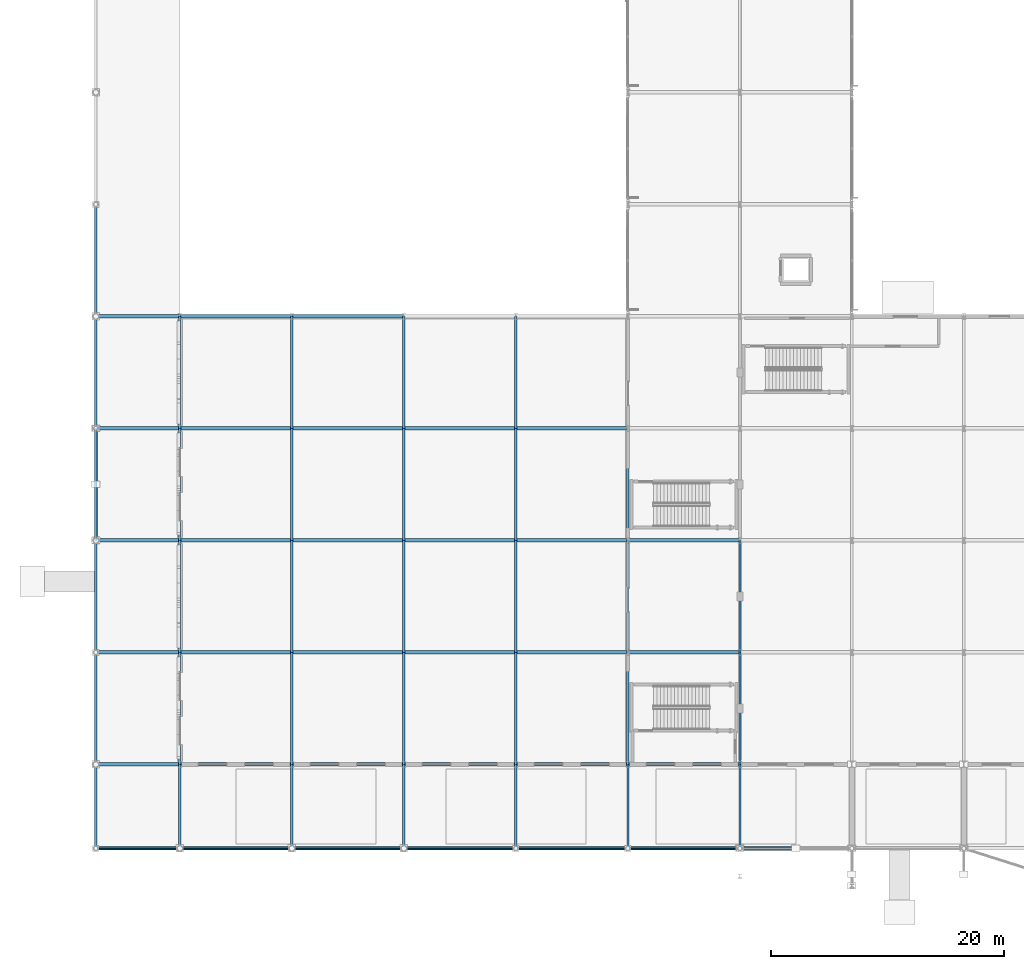
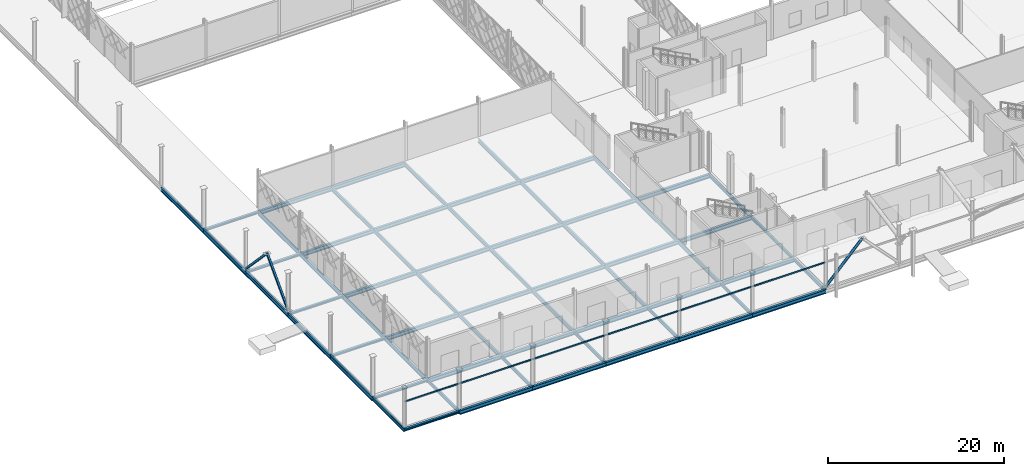
# One storey, part 28 of 84: 73 beams, 3 members.
"""IFC4 building model written with IfcOpenShell, lengths in metres."""

import ifcopenshell
import ifcopenshell.guid

model = None  # the IFC model being written
_history = None  # IfcOwnerHistory: only IFC2X3 demands one
_inside = {}  # id of a spatial element -> (the spatial element, [elements in it])
_under = {}  # id of a project, library or spatial element -> (it, [spatial elements below it])
_declared = {}  # id of a project -> (the project, [libraries it declares])
_typed = {}  # id of a type object -> (the type object, [elements of that type])
_made_of = {}  # id of a material, layer set ... -> (it, [elements and type objects made of it])


def new_model(schema):
    """Start an empty IFC model of exactly this schema.

    Asked for "IFC4X3", IfcOpenShell would pick the latest addendum, in which some entities
    have other attributes; the version numbers below select the first issue.
    IFC2X3 requires an IfcOwnerHistory on every rooted entity: one is made here for all.
    """
    global model, _history
    if schema == "IFC4X3":
        model = ifcopenshell.file(schema_version=(4, 3, 0, 0))
    else:
        model = ifcopenshell.file(schema=schema)
    _inside.clear()
    _under.clear()
    _declared.clear()
    _typed.clear()
    _made_of.clear()
    _history = None
    if model.schema == "IFC2X3":
        org = make("IfcOrganization", Name="unknown")
        user = make(
            "IfcPersonAndOrganization",
            ThePerson=make("IfcPerson", FamilyName="unknown"),
            TheOrganization=org,
        )
        app = make(
            "IfcApplication",
            ApplicationDeveloper=org,
            Version="unknown",
            ApplicationFullName="unknown",
            ApplicationIdentifier="unknown",
        )
        _history = make(
            "IfcOwnerHistory",
            OwningUser=user,
            OwningApplication=app,
            ChangeAction="ADDED",
            CreationDate=0,
        )
    return model


def make(cls, **values):
    """One entity of the class cls with the attributes given. An attribute that is None is left unset."""
    return model.create_entity(
        cls, **{name: value for name, value in values.items() if value is not None}
    )


def rooted(cls, **values):
    """An entity with a GlobalId (a new one), such as an element, a storey or a relation."""
    return make(cls, GlobalId=ifcopenshell.guid.new(), OwnerHistory=_history, **values)


def si_unit(unit_type, name, prefix=None):
    """IfcSIUnit, for example si_unit("LENGTHUNIT", "METRE", prefix="MILLI")."""
    return make("IfcSIUnit", UnitType=unit_type, Prefix=prefix, Name=name)


def assignment(units):
    """IfcUnitAssignment: the units of a project."""
    return None if units is None else make("IfcUnitAssignment", Units=units)


def point(xyz):
    """IfcCartesianPoint."""
    return None if xyz is None else make("IfcCartesianPoint", Coordinates=xyz)


def direction(xyz):
    """IfcDirection."""
    return None if xyz is None else make("IfcDirection", DirectionRatios=xyz)


def frame(location, z_axis=None, x_axis=None):
    """IfcAxis2Placement3D, a coordinate frame: its origin and axes. An axis left out is left unset."""
    return make(
        "IfcAxis2Placement3D",
        Location=point(location),
        Axis=direction(z_axis),
        RefDirection=direction(x_axis),
    )


def frame_2d(location, x_axis=None):
    """IfcAxis2Placement2D, a coordinate frame in the plane: its origin and x axis."""
    return make(
        "IfcAxis2Placement2D", Location=point(location), RefDirection=direction(x_axis)
    )


def origin():
    """The frame at (0, 0, 0) with its axes left unset."""
    return frame((0.0, 0.0, 0.0))


def origin_2d():
    """The frame at (0, 0) in the plane with its x axis left unset."""
    return frame_2d((0.0, 0.0))


def place(relative_to, where):
    """IfcLocalPlacement: puts the frame where relative to a parent placement (None: the world)."""
    return make(
        "IfcLocalPlacement", PlacementRelTo=relative_to, RelativePlacement=where
    )


def context(
    kind, dimensions, precision=None, world=None, true_north=None, identifier=None
):
    """IfcGeometricRepresentationContext, for example the 3D "Model" context."""
    return make(
        "IfcGeometricRepresentationContext",
        ContextIdentifier=identifier,
        ContextType=kind,
        CoordinateSpaceDimension=dimensions,
        Precision=precision,
        WorldCoordinateSystem=world,
        TrueNorth=true_north,
    )


def subcontext(parent, identifier, kind, view, scale=None):
    """IfcGeometricRepresentationSubContext, for example "Body" below "Model"."""
    return make(
        "IfcGeometricRepresentationSubContext",
        ContextIdentifier=identifier,
        ContextType=kind,
        ParentContext=parent,
        TargetScale=scale,
        TargetView=view,
    )


def project(units=None, contexts=None):
    """IfcProject with its units and contexts."""
    return rooted(
        "IfcProject",
        Name="project",
        RepresentationContexts=contexts,
        UnitsInContext=assignment(units),
    )


def spatial(cls, under=None, at=None, **own):
    """A site, building, storey or space (cls), placed at a placement, below another one or the project."""
    s = rooted(cls, ObjectPlacement=at, **own)
    if under is not None:
        _under.setdefault(under.id(), (under, []))[1].append(s)
    return s


def profile(cls, at=None, kind="AREA", **sizes):
    """A parametric profile (cls). Its sizes go by their IFC names, for example OverallWidth=200.0."""
    return make(cls, ProfileType=kind, Position=at, **sizes)


def hollow_rectangle(**sizes):
    """IfcRectangleHollowProfileDef."""
    return profile("IfcRectangleHollowProfileDef", **sizes)


def hollow_circle(**sizes):
    """IfcCircleHollowProfileDef."""
    return profile("IfcCircleHollowProfileDef", **sizes)


def i_section(**sizes):
    """IfcIShapeProfileDef."""
    return profile("IfcIShapeProfileDef", **sizes)


def extrude(swept, where, along, depth):
    """IfcExtrudedAreaSolid: the profile swept, set in the frame where, extruded along a direction by depth."""
    return make(
        "IfcExtrudedAreaSolid",
        SweptArea=swept,
        Position=where,
        ExtrudedDirection=direction(along),
        Depth=depth,
    )


def shape(context_of_items, identifier, shape_type, items):
    """IfcShapeRepresentation: the items that make up one representation, for example the "Body"."""
    return make(
        "IfcShapeRepresentation",
        ContextOfItems=context_of_items,
        RepresentationIdentifier=identifier,
        RepresentationType=shape_type,
        Items=items,
    )


def material(Name=None, Category=None):
    """IfcMaterial."""
    return make("IfcMaterial", Name=Name, Category=Category)


def material_profile(
    of_material, cross_section, Name=None, Category=None, Priority=None
):
    """IfcMaterialProfile: a cross section and its material."""
    return make(
        "IfcMaterialProfile",
        Name=Name,
        Material=of_material,
        Profile=cross_section,
        Priority=Priority,
        Category=Category,
    )


def profile_set(profiles, Name=None, composite=None):
    """IfcMaterialProfileSet."""
    return make(
        "IfcMaterialProfileSet",
        Name=Name,
        MaterialProfiles=profiles,
        CompositeProfile=composite,
    )


def made_of(thing, what):
    """Note that an element or type object is made of a material, layer set ...; save() writes the relation."""
    if what is not None:
        _made_of.setdefault(what.id(), (what, []))[1].append(thing)
    return thing


def type_object(cls, material=None, **own):
    """A type object (cls), such as IfcWallType, which elements share."""
    return made_of(rooted(cls, **own), material)


def element(
    cls,
    number,
    at=None,
    inside=None,
    cuts=None,
    type_object=None,
    material=None,
    context=None,
    identifier="Body",
    shape_type=None,
    held_by="IfcProductDefinitionShape",
    body=None,
    shapes=None,
    **own,
):
    """One element of the class cls, such as IfcWall. Its Tag is "e" and its number.

    at: its placement. inside: the storey or other place that contains it. cuts: it is an
    opening in that element (IfcRelVoidsElement). A single representation is given by context,
    identifier, shape_type and body (its items); several are given by shapes. held_by: the class
    of the entity that holds the representations. save() writes the other relations.
    """
    e = rooted(cls, Tag="e%d" % number, ObjectPlacement=at, **own)
    if body is not None:
        shapes = [shape(context, identifier, shape_type, body)]
    if shapes is not None:
        e.Representation = make(held_by, Representations=shapes)
    if inside is not None:
        _inside.setdefault(inside.id(), (inside, []))[1].append(e)
    if cuts is not None:
        rooted(
            "IfcRelVoidsElement", RelatingBuildingElement=cuts, RelatedOpeningElement=e
        )
    if type_object is not None:
        _typed.setdefault(type_object.id(), (type_object, []))[1].append(e)
    return made_of(e, material)


def aggregate(whole, parts):
    """IfcRelAggregates: a whole, such as a stair, and the parts it consists of."""
    return rooted("IfcRelAggregates", RelatingObject=whole, RelatedObjects=parts)


def save(model, path):
    """Write the relations noted so far, then the file.

    IfcRelAggregates (storeys below a building ...), IfcRelContainedInSpatialStructure (elements
    in a storey), IfcRelDefinesByType, IfcRelAssociatesMaterial and IfcRelDeclares: one each for
    every whole, place, type object, material and project.
    """
    for whole, parts in _under.values():
        aggregate(whole, parts)
    for where, things in _inside.values():
        rooted(
            "IfcRelContainedInSpatialStructure",
            RelatedElements=things,
            RelatingStructure=where,
        )
    for kind, things in _typed.values():
        rooted("IfcRelDefinesByType", RelatedObjects=things, RelatingType=kind)
    for what, things in _made_of.values():
        rooted("IfcRelAssociatesMaterial", RelatedObjects=things, RelatingMaterial=what)
    for by, libraries in _declared.values():
        rooted("IfcRelDeclares", RelatingContext=by, RelatedDefinitions=libraries)
    model.write(path)


model = new_model("IFC4")

# Units and contexts
model_context = context("Model", 3, precision=1e-05, world=origin(), true_north=direction((0.0, 1.0)))
body_context = subcontext(model_context, "Body", "Model", "MODEL_VIEW")
ifc_project = project(units=[si_unit("LENGTHUNIT", "METRE"), si_unit("AREAUNIT", "SQUARE_METRE"), si_unit("VOLUMEUNIT", "CUBIC_METRE"), si_unit("PLANEANGLEUNIT", "RADIAN"), si_unit("MASSUNIT", "GRAM", prefix="KILO")], contexts=[model_context])

# Site, building, storey
site_placement = place(None, origin())
site = spatial("IfcSite", under=ifc_project, at=site_placement, CompositionType="ELEMENT")
building_placement = place(site_placement, origin())
building = spatial("IfcBuilding", under=site, at=building_placement, Name="Zevrakil Square Congress Hotel", CompositionType="ELEMENT")
storey_placement = place(building_placement, origin())
storey = spatial("IfcBuildingStorey", under=building, at=storey_placement, Name="L01", CompositionType="ELEMENT", Elevation=0.0)

# Beams
ifc_material_1 = material(Name="Steel S355", Category="steel")
ifc_material_profile_1 = material_profile(ifc_material_1, i_section(OverallWidth=0.300048828125, OverallDepth=0.31005859375, WebThickness=0.009033203125, FlangeThickness=0.015380859375, FilletRadius=0.027099609375, at=origin_2d()), Name="HEA 320")
ifc_profile_set_1 = profile_set([ifc_material_profile_1], Name="Steel S355")
beam_type_1 = type_object("IfcBeamType", Name="BM-HEA320", PredefinedType="BEAM", material=ifc_profile_set_1)
for number, where, z_axis, x_axis, name in (
    (1, (0.0, 0.0, -0.47509765625), (1.0, 0.0, 0.0), (0.0, 1.0, 0.0), "L01 primary girder BX-0259"),
    (2, (0.0, 7.199951171875, -0.47509765625), (1.0, 0.0, 0.0), (0.0, 1.0, 0.0), "L01 primary girder BX-0278"),
    (3, (0.0, 16.800048828125, -0.47509765625), (1.0, 0.0, 0.0), (0.0, 1.0, 0.0), "L01 primary girder BX-0295"),
    (4, (0.0, 26.39990234375, -0.47509765625), (1.0, 0.0, 0.0), (0.0, 1.0, 0.0), "L01 primary girder BX-0314"),
    (5, (0.0, 36.0, -0.47509765625), (1.0, 0.0, 0.0), (0.0, 1.0, 0.0), "L01 primary girder BX-0331"),
    (6, (0.0, 45.60009765625, -0.47509765625), (1.0, 0.0, 0.0), (0.0, 1.0, 0.0), "L01 primary girder BX-0348"),
):
    element("IfcBeam", number, at=place(storey_placement, frame(where, z_axis=z_axis, x_axis=x_axis)), inside=storey, type_object=beam_type_1, Name=name, PredefinedType="BEAM", context=body_context, shape_type="SweptSolid", body=[
        extrude(i_section(OverallWidth=0.300048828125, OverallDepth=0.31005859375, WebThickness=0.009033203125, FlangeThickness=0.015380859375, FilletRadius=0.027099609375, at=origin_2d()), origin(), (0.0, 0.0, 1.0), 7.199951171875),
    ])
ifc_material_2 = material(Name="Steel S355", Category="steel")
ifc_material_profile_2 = material_profile(ifc_material_2, i_section(OverallWidth=0.300048828125, OverallDepth=0.5400390625, WebThickness=0.012451171875, FlangeThickness=0.02392578125, FilletRadius=0.027099609375, at=origin_2d()), Name="HEA 550")
ifc_profile_set_2 = profile_set([ifc_material_profile_2], Name="Steel S355")
beam_type_2 = type_object("IfcBeamType", Name="BM-HEA550", PredefinedType="BEAM", material=ifc_profile_set_2)
beam_1_placement = place(storey_placement, frame((7.199951171875, 0.0, -0.590087890625), z_axis=(1.0, 0.0, 0.0), x_axis=(0.0, 1.0, 0.0)))
element("IfcBeam", 7, at=beam_1_placement, inside=storey, type_object=beam_type_2, Name="L01 primary girder BX-0260", PredefinedType="BEAM", context=body_context, shape_type="SweptSolid", body=[
    extrude(i_section(OverallWidth=0.300048828125, OverallDepth=0.5400390625, WebThickness=0.012451171875, FlangeThickness=0.02392578125, FilletRadius=0.027099609375, at=origin_2d()), origin(), (0.0, 0.0, 1.0), 9.60009765625),
])
beam_2_placement = place(storey_placement, frame((16.800048828125, 0.0, -0.590087890625), z_axis=(1.0, 0.0, 0.0), x_axis=(0.0, 1.0, 0.0)))
element("IfcBeam", 8, at=beam_2_placement, inside=storey, type_object=beam_type_2, Name="L01 primary girder BX-0261", PredefinedType="BEAM", context=body_context, shape_type="SweptSolid", body=[
    extrude(i_section(OverallWidth=0.300048828125, OverallDepth=0.5400390625, WebThickness=0.012451171875, FlangeThickness=0.02392578125, FilletRadius=0.027099609375, at=origin_2d()), origin(), (0.0, 0.0, 1.0), 9.599853515625),
])
for number, where, z_axis, x_axis, name in (
    (9, (26.39990234375, 0.0, -0.590087890625), (1.0, 0.0, 0.0), (0.0, 1.0, 0.0), "L01 primary girder BX-0262"),
    (10, (36.0, 0.0, -0.590087890625), (1.0, 0.0, 0.0), (0.0, 1.0, 0.0), "L01 primary girder BX-0263"),
):
    element("IfcBeam", number, at=place(storey_placement, frame(where, z_axis=z_axis, x_axis=x_axis)), inside=storey, type_object=beam_type_2, Name=name, PredefinedType="BEAM", context=body_context, shape_type="SweptSolid", body=[
        extrude(i_section(OverallWidth=0.300048828125, OverallDepth=0.5400390625, WebThickness=0.012451171875, FlangeThickness=0.02392578125, FilletRadius=0.027099609375, at=origin_2d()), origin(), (0.0, 0.0, 1.0), 9.60009765625),
    ])
beam_3_placement = place(storey_placement, frame((45.60009765625, 0.0, -0.590087890625), z_axis=(1.0, 0.0, 0.0), x_axis=(0.0, 1.0, 0.0)))
element("IfcBeam", 11, at=beam_3_placement, inside=storey, type_object=beam_type_2, Name="L01 primary girder BX-0264", PredefinedType="BEAM", context=body_context, shape_type="SweptSolid", body=[
    extrude(i_section(OverallWidth=0.300048828125, OverallDepth=0.5400390625, WebThickness=0.012451171875, FlangeThickness=0.02392578125, FilletRadius=0.027099609375, at=origin_2d()), origin(), (0.0, 0.0, 1.0), 9.599853515625),
])
beam_4_placement = place(storey_placement, frame((7.199951171875, 7.199951171875, -0.590087890625), z_axis=(1.0, 0.0, 0.0), x_axis=(0.0, 1.0, 0.0)))
element("IfcBeam", 12, at=beam_4_placement, inside=storey, type_object=beam_type_2, Name="L01 primary girder BX-0279", PredefinedType="BEAM", context=body_context, shape_type="SweptSolid", body=[
    extrude(i_section(OverallWidth=0.300048828125, OverallDepth=0.5400390625, WebThickness=0.012451171875, FlangeThickness=0.02392578125, FilletRadius=0.027099609375, at=origin_2d()), origin(), (0.0, 0.0, 1.0), 9.60009765625),
])
beam_5_placement = place(storey_placement, frame((16.800048828125, 7.199951171875, -0.590087890625), z_axis=(1.0, 0.0, 0.0), x_axis=(0.0, 1.0, 0.0)))
element("IfcBeam", 13, at=beam_5_placement, inside=storey, type_object=beam_type_2, Name="L01 primary girder BX-0280", PredefinedType="BEAM", context=body_context, shape_type="SweptSolid", body=[
    extrude(i_section(OverallWidth=0.300048828125, OverallDepth=0.5400390625, WebThickness=0.012451171875, FlangeThickness=0.02392578125, FilletRadius=0.027099609375, at=origin_2d()), origin(), (0.0, 0.0, 1.0), 9.599853515625),
])
for number, where, z_axis, x_axis, name in (
    (14, (26.39990234375, 7.199951171875, -0.590087890625), (1.0, 0.0, 0.0), (0.0, 1.0, 0.0), "L01 primary girder BX-0281"),
    (15, (36.0, 7.199951171875, -0.590087890625), (1.0, 0.0, 0.0), (0.0, 1.0, 0.0), "L01 primary girder BX-0282"),
):
    element("IfcBeam", number, at=place(storey_placement, frame(where, z_axis=z_axis, x_axis=x_axis)), inside=storey, type_object=beam_type_2, Name=name, PredefinedType="BEAM", context=body_context, shape_type="SweptSolid", body=[
        extrude(i_section(OverallWidth=0.300048828125, OverallDepth=0.5400390625, WebThickness=0.012451171875, FlangeThickness=0.02392578125, FilletRadius=0.027099609375, at=origin_2d()), origin(), (0.0, 0.0, 1.0), 9.60009765625),
    ])
beam_6_placement = place(storey_placement, frame((45.60009765625, 7.199951171875, -0.590087890625), z_axis=(1.0, 0.0, 0.0), x_axis=(0.0, 1.0, 0.0)))
element("IfcBeam", 16, at=beam_6_placement, inside=storey, type_object=beam_type_2, Name="L01 primary girder BX-0283", PredefinedType="BEAM", context=body_context, shape_type="SweptSolid", body=[
    extrude(i_section(OverallWidth=0.300048828125, OverallDepth=0.5400390625, WebThickness=0.012451171875, FlangeThickness=0.02392578125, FilletRadius=0.027099609375, at=origin_2d()), origin(), (0.0, 0.0, 1.0), 9.599853515625),
])
beam_7_placement = place(storey_placement, frame((7.199951171875, 16.800048828125, -0.590087890625), z_axis=(1.0, 0.0, 0.0), x_axis=(0.0, 1.0, 0.0)))
element("IfcBeam", 17, at=beam_7_placement, inside=storey, type_object=beam_type_2, Name="L01 primary girder BX-0296", PredefinedType="BEAM", context=body_context, shape_type="SweptSolid", body=[
    extrude(i_section(OverallWidth=0.300048828125, OverallDepth=0.5400390625, WebThickness=0.012451171875, FlangeThickness=0.02392578125, FilletRadius=0.027099609375, at=origin_2d()), origin(), (0.0, 0.0, 1.0), 9.60009765625),
])
beam_8_placement = place(storey_placement, frame((16.800048828125, 16.800048828125, -0.590087890625), z_axis=(1.0, 0.0, 0.0), x_axis=(0.0, 1.0, 0.0)))
element("IfcBeam", 18, at=beam_8_placement, inside=storey, type_object=beam_type_2, Name="L01 primary girder BX-0297", PredefinedType="BEAM", context=body_context, shape_type="SweptSolid", body=[
    extrude(i_section(OverallWidth=0.300048828125, OverallDepth=0.5400390625, WebThickness=0.012451171875, FlangeThickness=0.02392578125, FilletRadius=0.027099609375, at=origin_2d()), origin(), (0.0, 0.0, 1.0), 9.599853515625),
])
for number, where, z_axis, x_axis, name in (
    (19, (26.39990234375, 16.800048828125, -0.590087890625), (1.0, 0.0, 0.0), (0.0, 1.0, 0.0), "L01 primary girder BX-0298"),
    (20, (36.0, 16.800048828125, -0.590087890625), (1.0, 0.0, 0.0), (0.0, 1.0, 0.0), "L01 primary girder BX-0299"),
):
    element("IfcBeam", number, at=place(storey_placement, frame(where, z_axis=z_axis, x_axis=x_axis)), inside=storey, type_object=beam_type_2, Name=name, PredefinedType="BEAM", context=body_context, shape_type="SweptSolid", body=[
        extrude(i_section(OverallWidth=0.300048828125, OverallDepth=0.5400390625, WebThickness=0.012451171875, FlangeThickness=0.02392578125, FilletRadius=0.027099609375, at=origin_2d()), origin(), (0.0, 0.0, 1.0), 9.60009765625),
    ])
beam_9_placement = place(storey_placement, frame((45.60009765625, 16.800048828125, -0.590087890625), z_axis=(1.0, 0.0, 0.0), x_axis=(0.0, 1.0, 0.0)))
element("IfcBeam", 21, at=beam_9_placement, inside=storey, type_object=beam_type_2, Name="L01 primary girder BX-0300", PredefinedType="BEAM", context=body_context, shape_type="SweptSolid", body=[
    extrude(i_section(OverallWidth=0.300048828125, OverallDepth=0.5400390625, WebThickness=0.012451171875, FlangeThickness=0.02392578125, FilletRadius=0.027099609375, at=origin_2d()), origin(), (0.0, 0.0, 1.0), 9.599853515625),
])
beam_10_placement = place(storey_placement, frame((7.199951171875, 26.39990234375, -0.590087890625), z_axis=(1.0, 0.0, 0.0), x_axis=(0.0, 1.0, 0.0)))
element("IfcBeam", 22, at=beam_10_placement, inside=storey, type_object=beam_type_2, Name="L01 primary girder BX-0315", PredefinedType="BEAM", context=body_context, shape_type="SweptSolid", body=[
    extrude(i_section(OverallWidth=0.300048828125, OverallDepth=0.5400390625, WebThickness=0.012451171875, FlangeThickness=0.02392578125, FilletRadius=0.027099609375, at=origin_2d()), origin(), (0.0, 0.0, 1.0), 9.60009765625),
])
beam_11_placement = place(storey_placement, frame((16.800048828125, 26.39990234375, -0.590087890625), z_axis=(1.0, 0.0, 0.0), x_axis=(0.0, 1.0, 0.0)))
element("IfcBeam", 23, at=beam_11_placement, inside=storey, type_object=beam_type_2, Name="L01 primary girder BX-0316", PredefinedType="BEAM", context=body_context, shape_type="SweptSolid", body=[
    extrude(i_section(OverallWidth=0.300048828125, OverallDepth=0.5400390625, WebThickness=0.012451171875, FlangeThickness=0.02392578125, FilletRadius=0.027099609375, at=origin_2d()), origin(), (0.0, 0.0, 1.0), 9.599853515625),
])
for number, where, z_axis, x_axis, name in (
    (24, (26.39990234375, 26.39990234375, -0.590087890625), (1.0, 0.0, 0.0), (0.0, 1.0, 0.0), "L01 primary girder BX-0317"),
    (25, (36.0, 26.39990234375, -0.590087890625), (1.0, 0.0, 0.0), (0.0, 1.0, 0.0), "L01 primary girder BX-0318"),
):
    element("IfcBeam", number, at=place(storey_placement, frame(where, z_axis=z_axis, x_axis=x_axis)), inside=storey, type_object=beam_type_2, Name=name, PredefinedType="BEAM", context=body_context, shape_type="SweptSolid", body=[
        extrude(i_section(OverallWidth=0.300048828125, OverallDepth=0.5400390625, WebThickness=0.012451171875, FlangeThickness=0.02392578125, FilletRadius=0.027099609375, at=origin_2d()), origin(), (0.0, 0.0, 1.0), 9.60009765625),
    ])
beam_12_placement = place(storey_placement, frame((45.60009765625, 26.39990234375, -0.590087890625), z_axis=(1.0, 0.0, 0.0), x_axis=(0.0, 1.0, 0.0)))
element("IfcBeam", 26, at=beam_12_placement, inside=storey, type_object=beam_type_2, Name="L01 primary girder BX-0319", PredefinedType="BEAM", context=body_context, shape_type="SweptSolid", body=[
    extrude(i_section(OverallWidth=0.300048828125, OverallDepth=0.5400390625, WebThickness=0.012451171875, FlangeThickness=0.02392578125, FilletRadius=0.027099609375, at=origin_2d()), origin(), (0.0, 0.0, 1.0), 9.599853515625),
])
beam_13_placement = place(storey_placement, frame((7.199951171875, 36.0, -0.590087890625), z_axis=(1.0, 0.0, 0.0), x_axis=(0.0, 1.0, 0.0)))
element("IfcBeam", 27, at=beam_13_placement, inside=storey, type_object=beam_type_2, Name="L01 primary girder BX-0332", PredefinedType="BEAM", context=body_context, shape_type="SweptSolid", body=[
    extrude(i_section(OverallWidth=0.300048828125, OverallDepth=0.5400390625, WebThickness=0.012451171875, FlangeThickness=0.02392578125, FilletRadius=0.027099609375, at=origin_2d()), origin(), (0.0, 0.0, 1.0), 9.60009765625),
])
beam_14_placement = place(storey_placement, frame((16.800048828125, 36.0, -0.590087890625), z_axis=(1.0, 0.0, 0.0), x_axis=(0.0, 1.0, 0.0)))
element("IfcBeam", 28, at=beam_14_placement, inside=storey, type_object=beam_type_2, Name="L01 primary girder BX-0333", PredefinedType="BEAM", context=body_context, shape_type="SweptSolid", body=[
    extrude(i_section(OverallWidth=0.300048828125, OverallDepth=0.5400390625, WebThickness=0.012451171875, FlangeThickness=0.02392578125, FilletRadius=0.027099609375, at=origin_2d()), origin(), (0.0, 0.0, 1.0), 9.599853515625),
])
for number, where, z_axis, x_axis, name in (
    (29, (26.39990234375, 36.0, -0.590087890625), (1.0, 0.0, 0.0), (0.0, 1.0, 0.0), "L01 primary girder BX-0334"),
    (30, (36.0, 36.0, -0.590087890625), (1.0, 0.0, 0.0), (0.0, 1.0, 0.0), "L01 primary girder BX-0335"),
    (31, (7.199951171875, 45.60009765625, -0.590087890625), (1.0, 0.0, 0.0), (0.0, 1.0, 0.0), "L01 primary girder BX-0349"),
):
    element("IfcBeam", number, at=place(storey_placement, frame(where, z_axis=z_axis, x_axis=x_axis)), inside=storey, type_object=beam_type_2, Name=name, PredefinedType="BEAM", context=body_context, shape_type="SweptSolid", body=[
        extrude(i_section(OverallWidth=0.300048828125, OverallDepth=0.5400390625, WebThickness=0.012451171875, FlangeThickness=0.02392578125, FilletRadius=0.027099609375, at=origin_2d()), origin(), (0.0, 0.0, 1.0), 9.60009765625),
    ])
beam_15_placement = place(storey_placement, frame((16.800048828125, 45.60009765625, -0.590087890625), z_axis=(1.0, 0.0, 0.0), x_axis=(0.0, 1.0, 0.0)))
element("IfcBeam", 32, at=beam_15_placement, inside=storey, type_object=beam_type_2, Name="L01 primary girder BX-0350", PredefinedType="BEAM", context=body_context, shape_type="SweptSolid", body=[
    extrude(i_section(OverallWidth=0.300048828125, OverallDepth=0.5400390625, WebThickness=0.012451171875, FlangeThickness=0.02392578125, FilletRadius=0.027099609375, at=origin_2d()), origin(), (0.0, 0.0, 1.0), 9.599853515625),
])
ifc_material_3 = material(Name="Steel S355", Category="steel")
ifc_material_profile_3 = material_profile(ifc_material_3, i_section(OverallWidth=0.18994140625, OverallDepth=0.449951171875, WebThickness=0.009521484375, FlangeThickness=0.0146484375, FilletRadius=0.02099609375, at=origin_2d()), Name="IPE 450")
ifc_profile_set_3 = profile_set([ifc_material_profile_3], Name="Steel S355")
beam_type_3 = type_object("IfcBeamType", Name="BM-IPE450", PredefinedType="BEAM", material=ifc_profile_set_3)
for number, where, z_axis, x_axis, name in (
    (33, (0.0, 0.0, -0.544921875), (0.0, 1.0, 0.0), (-1.0, 0.0, 0.0), "L01 primary girder BY-0459"),
    (34, (7.199951171875, 0.0, -0.544921875), (0.0, 1.0, 0.0), (-1.0, 0.0, 0.0), "L01 primary girder BY-0471"),
    (35, (16.800048828125, 0.0, -0.544921875), (0.0, 1.0, 0.0), (-1.0, 0.0, 0.0), "L01 primary girder BY-0481"),
    (36, (26.39990234375, 0.0, -0.544921875), (0.0, 1.0, 0.0), (-1.0, 0.0, 0.0), "L01 primary girder BY-0489"),
    (37, (36.0, 0.0, -0.544921875), (0.0, 1.0, 0.0), (-1.0, 0.0, 0.0), "L01 primary girder BY-0495"),
    (38, (45.60009765625, 0.0, -0.544921875), (0.0, 1.0, 0.0), (-1.0, 0.0, 0.0), "L01 primary girder BY-0505"),
    (39, (55.199951171875, 0.0, -0.544921875), (0.0, 1.0, 0.0), (-1.0, 0.0, 0.0), "L01 primary girder BY-0518"),
):
    element("IfcBeam", number, at=place(storey_placement, frame(where, z_axis=z_axis, x_axis=x_axis)), inside=storey, type_object=beam_type_3, Name=name, PredefinedType="BEAM", context=body_context, shape_type="SweptSolid", body=[
        extrude(i_section(OverallWidth=0.18994140625, OverallDepth=0.449951171875, WebThickness=0.009521484375, FlangeThickness=0.0146484375, FilletRadius=0.02099609375, at=origin_2d()), origin(), (0.0, 0.0, 1.0), 7.199951171875),
    ])
for number, where, z_axis, x_axis, name in (
    (40, (55.199951171875, 7.199951171875, -0.544921875), (0.0, 1.0, 0.0), (-1.0, 0.0, 0.0), "L01 primary girder BY-0519"),
    (41, (55.199951171875, 12.0, -0.544921875), (0.0, 1.0, 0.0), (-1.0, 0.0, 0.0), "L01 primary girder BY-0520"),
    (42, (55.199951171875, 16.800048828125, -0.544921875), (0.0, 1.0, 0.0), (-1.0, 0.0, 0.0), "L01 primary girder BY-0521"),
):
    element("IfcBeam", number, at=place(storey_placement, frame(where, z_axis=z_axis, x_axis=x_axis)), inside=storey, type_object=beam_type_3, Name=name, PredefinedType="BEAM", context=body_context, shape_type="SweptSolid", body=[
        extrude(i_section(OverallWidth=0.18994140625, OverallDepth=0.449951171875, WebThickness=0.009521484375, FlangeThickness=0.0146484375, FilletRadius=0.02099609375, at=origin_2d()), origin(), (0.0, 0.0, 1.0), 4.800048828125),
    ])
beam_16_placement = place(storey_placement, frame((55.199951171875, 21.60009765625, -0.544921875), z_axis=(0.0, 1.0, 0.0), x_axis=(-1.0, 0.0, 0.0)))
element("IfcBeam", 43, at=beam_16_placement, inside=storey, type_object=beam_type_3, Name="L01 primary girder BY-0522", PredefinedType="BEAM", context=body_context, shape_type="SweptSolid", body=[
    extrude(i_section(OverallWidth=0.18994140625, OverallDepth=0.449951171875, WebThickness=0.009521484375, FlangeThickness=0.0146484375, FilletRadius=0.02099609375, at=origin_2d()), origin(), (0.0, 0.0, 1.0), 4.7998046875),
])
ifc_material_4 = material(Name="Steel S355", Category="steel")
ifc_material_profile_4 = material_profile(ifc_material_4, i_section(OverallWidth=0.2099609375, OverallDepth=0.550048828125, WebThickness=0.010986328125, FlangeThickness=0.01708984375, FilletRadius=0.02392578125, at=origin_2d()), Name="IPE 550")
ifc_profile_set_4 = profile_set([ifc_material_profile_4], Name="Steel S355")
beam_type_4 = type_object("IfcBeamType", Name="BM-IPE550", PredefinedType="BEAM", material=ifc_profile_set_4)
beam_17_placement = place(storey_placement, frame((0.0, 7.199951171875, -0.594970703125), z_axis=(0.0, 1.0, 0.0), x_axis=(-1.0, 0.0, 0.0)))
element("IfcBeam", 44, at=beam_17_placement, inside=storey, type_object=beam_type_4, Name="L01 primary girder BY-0460", PredefinedType="BEAM", context=body_context, shape_type="SweptSolid", body=[
    extrude(i_section(OverallWidth=0.2099609375, OverallDepth=0.550048828125, WebThickness=0.010986328125, FlangeThickness=0.01708984375, FilletRadius=0.02392578125, at=origin_2d()), origin(), (0.0, 0.0, 1.0), 9.60009765625),
])
beam_18_placement = place(storey_placement, frame((0.0, 16.800048828125, -0.594970703125), z_axis=(0.0, 1.0, 0.0), x_axis=(-1.0, 0.0, 0.0)))
element("IfcBeam", 45, at=beam_18_placement, inside=storey, type_object=beam_type_4, Name="L01 primary girder BY-0461", PredefinedType="BEAM", context=body_context, shape_type="SweptSolid", body=[
    extrude(i_section(OverallWidth=0.2099609375, OverallDepth=0.550048828125, WebThickness=0.010986328125, FlangeThickness=0.01708984375, FilletRadius=0.02392578125, at=origin_2d()), origin(), (0.0, 0.0, 1.0), 9.599853515625),
])
for number, where, z_axis, x_axis, name in (
    (46, (0.0, 26.39990234375, -0.594970703125), (0.0, 1.0, 0.0), (-1.0, 0.0, 0.0), "L01 primary girder BY-0462"),
    (47, (0.0, 36.0, -0.594970703125), (0.0, 1.0, 0.0), (-1.0, 0.0, 0.0), "L01 primary girder BY-0463"),
):
    element("IfcBeam", number, at=place(storey_placement, frame(where, z_axis=z_axis, x_axis=x_axis)), inside=storey, type_object=beam_type_4, Name=name, PredefinedType="BEAM", context=body_context, shape_type="SweptSolid", body=[
        extrude(i_section(OverallWidth=0.2099609375, OverallDepth=0.550048828125, WebThickness=0.010986328125, FlangeThickness=0.01708984375, FilletRadius=0.02392578125, at=origin_2d()), origin(), (0.0, 0.0, 1.0), 9.60009765625),
    ])
beam_19_placement = place(storey_placement, frame((0.0, 45.60009765625, -0.594970703125), z_axis=(0.0, 1.0, 0.0), x_axis=(-1.0, 0.0, 0.0)))
element("IfcBeam", 48, at=beam_19_placement, inside=storey, type_object=beam_type_4, Name="L01 primary girder BY-0464", PredefinedType="BEAM", context=body_context, shape_type="SweptSolid", body=[
    extrude(i_section(OverallWidth=0.2099609375, OverallDepth=0.550048828125, WebThickness=0.010986328125, FlangeThickness=0.01708984375, FilletRadius=0.02392578125, at=origin_2d()), origin(), (0.0, 0.0, 1.0), 9.599853515625),
])
beam_20_placement = place(storey_placement, frame((7.199951171875, 7.199951171875, -0.594970703125), z_axis=(0.0, 1.0, 0.0), x_axis=(-1.0, 0.0, 0.0)))
element("IfcBeam", 49, at=beam_20_placement, inside=storey, type_object=beam_type_4, Name="L01 primary girder BY-0472", PredefinedType="BEAM", context=body_context, shape_type="SweptSolid", body=[
    extrude(i_section(OverallWidth=0.2099609375, OverallDepth=0.550048828125, WebThickness=0.010986328125, FlangeThickness=0.01708984375, FilletRadius=0.02392578125, at=origin_2d()), origin(), (0.0, 0.0, 1.0), 9.60009765625),
])
beam_21_placement = place(storey_placement, frame((7.199951171875, 16.800048828125, -0.594970703125), z_axis=(0.0, 1.0, 0.0), x_axis=(-1.0, 0.0, 0.0)))
element("IfcBeam", 50, at=beam_21_placement, inside=storey, type_object=beam_type_4, Name="L01 primary girder BY-0473", PredefinedType="BEAM", context=body_context, shape_type="SweptSolid", body=[
    extrude(i_section(OverallWidth=0.2099609375, OverallDepth=0.550048828125, WebThickness=0.010986328125, FlangeThickness=0.01708984375, FilletRadius=0.02392578125, at=origin_2d()), origin(), (0.0, 0.0, 1.0), 9.599853515625),
])
for number, where, z_axis, x_axis, name in (
    (51, (7.199951171875, 26.39990234375, -0.594970703125), (0.0, 1.0, 0.0), (-1.0, 0.0, 0.0), "L01 primary girder BY-0474"),
    (52, (7.199951171875, 36.0, -0.594970703125), (0.0, 1.0, 0.0), (-1.0, 0.0, 0.0), "L01 primary girder BY-0475"),
    (53, (16.800048828125, 7.199951171875, -0.594970703125), (0.0, 1.0, 0.0), (-1.0, 0.0, 0.0), "L01 primary girder BY-0482"),
):
    element("IfcBeam", number, at=place(storey_placement, frame(where, z_axis=z_axis, x_axis=x_axis)), inside=storey, type_object=beam_type_4, Name=name, PredefinedType="BEAM", context=body_context, shape_type="SweptSolid", body=[
        extrude(i_section(OverallWidth=0.2099609375, OverallDepth=0.550048828125, WebThickness=0.010986328125, FlangeThickness=0.01708984375, FilletRadius=0.02392578125, at=origin_2d()), origin(), (0.0, 0.0, 1.0), 9.60009765625),
    ])
beam_22_placement = place(storey_placement, frame((16.800048828125, 16.800048828125, -0.594970703125), z_axis=(0.0, 1.0, 0.0), x_axis=(-1.0, 0.0, 0.0)))
element("IfcBeam", 54, at=beam_22_placement, inside=storey, type_object=beam_type_4, Name="L01 primary girder BY-0483", PredefinedType="BEAM", context=body_context, shape_type="SweptSolid", body=[
    extrude(i_section(OverallWidth=0.2099609375, OverallDepth=0.550048828125, WebThickness=0.010986328125, FlangeThickness=0.01708984375, FilletRadius=0.02392578125, at=origin_2d()), origin(), (0.0, 0.0, 1.0), 9.599853515625),
])
for number, where, z_axis, x_axis, name in (
    (55, (16.800048828125, 26.39990234375, -0.594970703125), (0.0, 1.0, 0.0), (-1.0, 0.0, 0.0), "L01 primary girder BY-0484"),
    (56, (16.800048828125, 36.0, -0.594970703125), (0.0, 1.0, 0.0), (-1.0, 0.0, 0.0), "L01 primary girder BY-0485"),
    (57, (26.39990234375, 7.199951171875, -0.594970703125), (0.0, 1.0, 0.0), (-1.0, 0.0, 0.0), "L01 primary girder BY-0490"),
):
    element("IfcBeam", number, at=place(storey_placement, frame(where, z_axis=z_axis, x_axis=x_axis)), inside=storey, type_object=beam_type_4, Name=name, PredefinedType="BEAM", context=body_context, shape_type="SweptSolid", body=[
        extrude(i_section(OverallWidth=0.2099609375, OverallDepth=0.550048828125, WebThickness=0.010986328125, FlangeThickness=0.01708984375, FilletRadius=0.02392578125, at=origin_2d()), origin(), (0.0, 0.0, 1.0), 9.60009765625),
    ])
beam_23_placement = place(storey_placement, frame((26.39990234375, 16.800048828125, -0.594970703125), z_axis=(0.0, 1.0, 0.0), x_axis=(-1.0, 0.0, 0.0)))
element("IfcBeam", 58, at=beam_23_placement, inside=storey, type_object=beam_type_4, Name="L01 primary girder BY-0491", PredefinedType="BEAM", context=body_context, shape_type="SweptSolid", body=[
    extrude(i_section(OverallWidth=0.2099609375, OverallDepth=0.550048828125, WebThickness=0.010986328125, FlangeThickness=0.01708984375, FilletRadius=0.02392578125, at=origin_2d()), origin(), (0.0, 0.0, 1.0), 9.599853515625),
])
for number, where, z_axis, x_axis, name in (
    (59, (26.39990234375, 26.39990234375, -0.594970703125), (0.0, 1.0, 0.0), (-1.0, 0.0, 0.0), "L01 primary girder BY-0492"),
    (60, (26.39990234375, 36.0, -0.594970703125), (0.0, 1.0, 0.0), (-1.0, 0.0, 0.0), "L01 primary girder BY-0493"),
    (61, (36.0, 7.199951171875, -0.594970703125), (0.0, 1.0, 0.0), (-1.0, 0.0, 0.0), "L01 primary girder BY-0496"),
):
    element("IfcBeam", number, at=place(storey_placement, frame(where, z_axis=z_axis, x_axis=x_axis)), inside=storey, type_object=beam_type_4, Name=name, PredefinedType="BEAM", context=body_context, shape_type="SweptSolid", body=[
        extrude(i_section(OverallWidth=0.2099609375, OverallDepth=0.550048828125, WebThickness=0.010986328125, FlangeThickness=0.01708984375, FilletRadius=0.02392578125, at=origin_2d()), origin(), (0.0, 0.0, 1.0), 9.60009765625),
    ])
beam_24_placement = place(storey_placement, frame((36.0, 16.800048828125, -0.594970703125), z_axis=(0.0, 1.0, 0.0), x_axis=(-1.0, 0.0, 0.0)))
element("IfcBeam", 62, at=beam_24_placement, inside=storey, type_object=beam_type_4, Name="L01 primary girder BY-0497", PredefinedType="BEAM", context=body_context, shape_type="SweptSolid", body=[
    extrude(i_section(OverallWidth=0.2099609375, OverallDepth=0.550048828125, WebThickness=0.010986328125, FlangeThickness=0.01708984375, FilletRadius=0.02392578125, at=origin_2d()), origin(), (0.0, 0.0, 1.0), 9.599853515625),
])
for number, where, z_axis, x_axis, name in (
    (63, (36.0, 26.39990234375, -0.594970703125), (0.0, 1.0, 0.0), (-1.0, 0.0, 0.0), "L01 primary girder BY-0498"),
    (64, (36.0, 36.0, -0.594970703125), (0.0, 1.0, 0.0), (-1.0, 0.0, 0.0), "L01 primary girder BY-0499"),
    (65, (45.60009765625, 7.199951171875, -0.594970703125), (0.0, 1.0, 0.0), (-1.0, 0.0, 0.0), "L01 primary girder BY-0506"),
):
    element("IfcBeam", number, at=place(storey_placement, frame(where, z_axis=z_axis, x_axis=x_axis)), inside=storey, type_object=beam_type_4, Name=name, PredefinedType="BEAM", context=body_context, shape_type="SweptSolid", body=[
        extrude(i_section(OverallWidth=0.2099609375, OverallDepth=0.550048828125, WebThickness=0.010986328125, FlangeThickness=0.01708984375, FilletRadius=0.02392578125, at=origin_2d()), origin(), (0.0, 0.0, 1.0), 9.60009765625),
    ])
beam_25_placement = place(storey_placement, frame((45.60009765625, 16.800048828125, -0.594970703125), z_axis=(0.0, 1.0, 0.0), x_axis=(-1.0, 0.0, 0.0)))
element("IfcBeam", 66, at=beam_25_placement, inside=storey, type_object=beam_type_4, Name="L01 primary girder BY-0507", PredefinedType="BEAM", context=body_context, shape_type="SweptSolid", body=[
    extrude(i_section(OverallWidth=0.2099609375, OverallDepth=0.550048828125, WebThickness=0.010986328125, FlangeThickness=0.01708984375, FilletRadius=0.02392578125, at=origin_2d()), origin(), (0.0, 0.0, 1.0), 9.599853515625),
])
beam_26_placement = place(storey_placement, frame((45.60009765625, 26.39990234375, -0.594970703125), z_axis=(0.0, 1.0, 0.0), x_axis=(-1.0, 0.0, 0.0)))
element("IfcBeam", 67, at=beam_26_placement, inside=storey, type_object=beam_type_4, Name="L01 primary girder BY-0508", PredefinedType="BEAM", context=body_context, shape_type="SweptSolid", body=[
    extrude(i_section(OverallWidth=0.2099609375, OverallDepth=0.550048828125, WebThickness=0.010986328125, FlangeThickness=0.01708984375, FilletRadius=0.02392578125, at=origin_2d()), origin(), (0.0, 0.0, 1.0), 9.60009765625),
])
ifc_material_5 = material(Name="Steel S355", Category="steel")
ifc_material_profile_5 = material_profile(ifc_material_5, hollow_rectangle(XDim=0.10009765625, YDim=0.199951171875, WallThickness=0.010009765625, InnerFilletRadius=0.010009765625, OuterFilletRadius=0.02001953125, at=origin_2d()), Name="RHS 200x100x10")
ifc_profile_set_5 = profile_set([ifc_material_profile_5], Name="Steel S355")
beam_type_5 = type_object("IfcBeamType", Name="LNT-RHS200", PredefinedType="LINTEL", material=ifc_profile_set_5)
beam_27_placement = place(storey_placement, frame((0.0, 0.0, 3.39990234375), z_axis=(1.0, 0.0, 0.0), x_axis=(0.0, 1.0, 0.0)))
element("IfcBeam", 68, at=beam_27_placement, inside=storey, type_object=beam_type_5, Name="L01 colonnade transom lintel LN-01", PredefinedType="LINTEL", context=body_context, shape_type="SweptSolid", body=[
    extrude(hollow_rectangle(XDim=0.10009765625, YDim=0.199951171875, WallThickness=0.010009765625, InnerFilletRadius=0.010009765625, OuterFilletRadius=0.02001953125, at=origin_2d()), origin(), (0.0, 0.0, 1.0), 7.199951171875),
])
beam_28_placement = place(storey_placement, frame((7.199951171875, 0.0, 3.39990234375), z_axis=(1.0, 0.0, 0.0), x_axis=(0.0, 1.0, 0.0)))
element("IfcBeam", 69, at=beam_28_placement, inside=storey, type_object=beam_type_5, Name="L01 colonnade transom lintel LN-02", PredefinedType="LINTEL", context=body_context, shape_type="SweptSolid", body=[
    extrude(hollow_rectangle(XDim=0.10009765625, YDim=0.199951171875, WallThickness=0.010009765625, InnerFilletRadius=0.010009765625, OuterFilletRadius=0.02001953125, at=origin_2d()), origin(), (0.0, 0.0, 1.0), 9.60009765625),
])
beam_29_placement = place(storey_placement, frame((16.800048828125, 0.0, 3.39990234375), z_axis=(1.0, 0.0, 0.0), x_axis=(0.0, 1.0, 0.0)))
element("IfcBeam", 70, at=beam_29_placement, inside=storey, type_object=beam_type_5, Name="L01 colonnade transom lintel LN-03", PredefinedType="LINTEL", context=body_context, shape_type="SweptSolid", body=[
    extrude(hollow_rectangle(XDim=0.10009765625, YDim=0.199951171875, WallThickness=0.010009765625, InnerFilletRadius=0.010009765625, OuterFilletRadius=0.02001953125, at=origin_2d()), origin(), (0.0, 0.0, 1.0), 9.599853515625),
])
for number, where, z_axis, x_axis, name in (
    (71, (26.39990234375, 0.0, 3.39990234375), (1.0, 0.0, 0.0), (0.0, 1.0, 0.0), "L01 colonnade transom lintel LN-04"),
    (72, (36.0, 0.0, 3.39990234375), (1.0, 0.0, 0.0), (0.0, 1.0, 0.0), "L01 colonnade transom lintel LN-05"),
):
    element("IfcBeam", number, at=place(storey_placement, frame(where, z_axis=z_axis, x_axis=x_axis)), inside=storey, type_object=beam_type_5, Name=name, PredefinedType="LINTEL", context=body_context, shape_type="SweptSolid", body=[
        extrude(hollow_rectangle(XDim=0.10009765625, YDim=0.199951171875, WallThickness=0.010009765625, InnerFilletRadius=0.010009765625, OuterFilletRadius=0.02001953125, at=origin_2d()), origin(), (0.0, 0.0, 1.0), 9.60009765625),
    ])
beam_30_placement = place(storey_placement, frame((45.60009765625, 0.0, 3.39990234375), z_axis=(1.0, 0.0, 0.0), x_axis=(0.0, 1.0, 0.0)))
element("IfcBeam", 73, at=beam_30_placement, inside=storey, type_object=beam_type_5, Name="L01 colonnade transom lintel LN-06", PredefinedType="LINTEL", context=body_context, shape_type="SweptSolid", body=[
    extrude(hollow_rectangle(XDim=0.10009765625, YDim=0.199951171875, WallThickness=0.010009765625, InnerFilletRadius=0.010009765625, OuterFilletRadius=0.02001953125, at=origin_2d()), origin(), (0.0, 0.0, 1.0), 9.599853515625),
])

# Members
ifc_material_6 = material(Name="Steel S355", Category="steel")
ifc_material_profile_6 = material_profile(ifc_material_6, hollow_circle(Radius=0.161865234375, WallThickness=0.01611328125, at=origin_2d()), Name="CHS 323.9x16")
ifc_profile_set_6 = profile_set([ifc_material_profile_6], Name="Steel S355")
member_type_1 = type_object("IfcMemberType", Name="MEM-BRACE-CHS323", PredefinedType="BRACE", material=ifc_profile_set_6)
member_placement = place(storey_placement, frame((55.199951171875, 0.0, 0.0), z_axis=(0.688938226344, 0.0, 0.724820060624), x_axis=(0.0, 1.0, 0.0)))
element("IfcMember", 74, at=member_placement, inside=storey, type_object=member_type_1, Name="L01 colonnade chevron brace CBF-01A", PredefinedType="BRACE", context=body_context, shape_type="SweptSolid", body=[
    extrude(hollow_circle(Radius=0.161865234375, WallThickness=0.01611328125, at=origin_2d()), origin(), (0.0, 0.0, 1.0), 6.96728515625),
])
ifc_material_7 = material(Name="Steel S355", Category="steel")
ifc_material_profile_7 = material_profile(ifc_material_7, hollow_rectangle(XDim=0.25, YDim=0.25, WallThickness=0.012451171875, InnerFilletRadius=0.012451171875, OuterFilletRadius=0.02490234375, at=origin_2d()), Name="SHS 250x250x12.5")
ifc_profile_set_7 = profile_set([ifc_material_profile_7], Name="Steel S355")
member_type_2 = type_object("IfcMemberType", Name="MEM-BRACE-SHS250", PredefinedType="BRACE", material=ifc_profile_set_7)
for number, where, z_axis, x_axis, name in (
    (75, (0.0, 26.39990234375, 0.0), (0.0, 0.688938226344, 0.724820060624), (-1.0, 0.0, 0.0), "L01 colonnade chevron brace CBF-03A"),
    (76, (0.0, 36.0, 0.0), (0.0, -0.688938226344, 0.724820060624), (1.0, 0.0, 0.0), "L01 colonnade chevron brace CBF-03B"),
):
    element("IfcMember", number, at=place(storey_placement, frame(where, z_axis=z_axis, x_axis=x_axis)), inside=storey, type_object=member_type_2, Name=name, PredefinedType="BRACE", context=body_context, shape_type="SweptSolid", body=[
        extrude(hollow_rectangle(XDim=0.25, YDim=0.25, WallThickness=0.012451171875, InnerFilletRadius=0.012451171875, OuterFilletRadius=0.02490234375, at=origin_2d()), origin(), (0.0, 0.0, 1.0), 6.96728515625),
    ])

save(model, "model.ifc")
